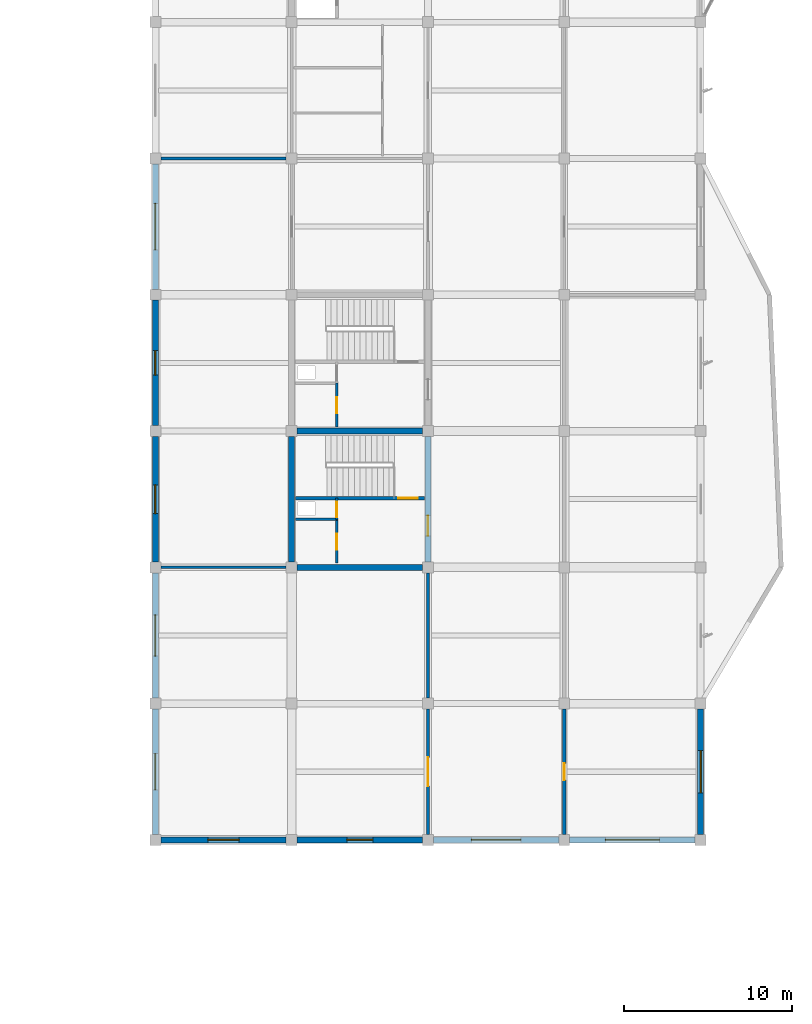
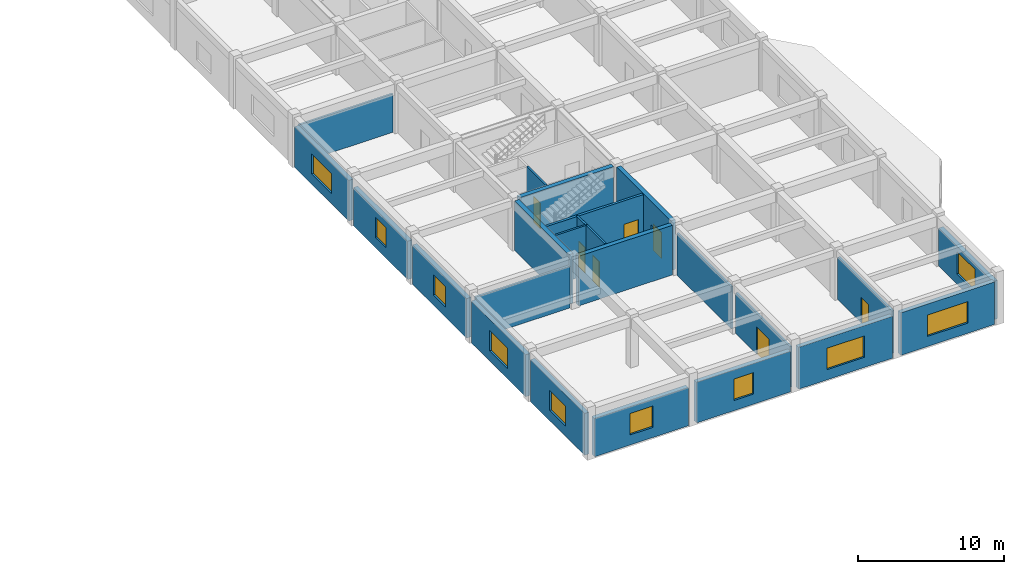
# One storey, part 31 of 42: 24 walls, 10 windows, 7 doors, 17 openings.
"""IFC4 building model written with IfcOpenShell, lengths in metres."""

import ifcopenshell
import ifcopenshell.guid

model = None  # the IFC model being written
_history = None  # IfcOwnerHistory: only IFC2X3 demands one
_inside = {}  # id of a spatial element -> (the spatial element, [elements in it])
_under = {}  # id of a project, library or spatial element -> (it, [spatial elements below it])
_declared = {}  # id of a project -> (the project, [libraries it declares])
_typed = {}  # id of a type object -> (the type object, [elements of that type])
_made_of = {}  # id of a material, layer set ... -> (it, [elements and type objects made of it])


def new_model(schema):
    """Start an empty IFC model of exactly this schema.

    Asked for "IFC4X3", IfcOpenShell would pick the latest addendum, in which some entities
    have other attributes; the version numbers below select the first issue.
    IFC2X3 requires an IfcOwnerHistory on every rooted entity: one is made here for all.
    """
    global model, _history
    if schema == "IFC4X3":
        model = ifcopenshell.file(schema_version=(4, 3, 0, 0))
    else:
        model = ifcopenshell.file(schema=schema)
    _inside.clear()
    _under.clear()
    _declared.clear()
    _typed.clear()
    _made_of.clear()
    _history = None
    if model.schema == "IFC2X3":
        org = make("IfcOrganization", Name="unknown")
        user = make(
            "IfcPersonAndOrganization",
            ThePerson=make("IfcPerson", FamilyName="unknown"),
            TheOrganization=org,
        )
        app = make(
            "IfcApplication",
            ApplicationDeveloper=org,
            Version="unknown",
            ApplicationFullName="unknown",
            ApplicationIdentifier="unknown",
        )
        _history = make(
            "IfcOwnerHistory",
            OwningUser=user,
            OwningApplication=app,
            ChangeAction="ADDED",
            CreationDate=0,
        )
    return model


def make(cls, **values):
    """One entity of the class cls with the attributes given. An attribute that is None is left unset."""
    return model.create_entity(
        cls, **{name: value for name, value in values.items() if value is not None}
    )


def rooted(cls, **values):
    """An entity with a GlobalId (a new one), such as an element, a storey or a relation."""
    return make(cls, GlobalId=ifcopenshell.guid.new(), OwnerHistory=_history, **values)


def si_unit(unit_type, name, prefix=None):
    """IfcSIUnit, for example si_unit("LENGTHUNIT", "METRE", prefix="MILLI")."""
    return make("IfcSIUnit", UnitType=unit_type, Prefix=prefix, Name=name)


def assignment(units):
    """IfcUnitAssignment: the units of a project."""
    return None if units is None else make("IfcUnitAssignment", Units=units)


def point(xyz):
    """IfcCartesianPoint."""
    return None if xyz is None else make("IfcCartesianPoint", Coordinates=xyz)


def direction(xyz):
    """IfcDirection."""
    return None if xyz is None else make("IfcDirection", DirectionRatios=xyz)


def frame(location, z_axis=None, x_axis=None):
    """IfcAxis2Placement3D, a coordinate frame: its origin and axes. An axis left out is left unset."""
    return make(
        "IfcAxis2Placement3D",
        Location=point(location),
        Axis=direction(z_axis),
        RefDirection=direction(x_axis),
    )


def frame_2d(location, x_axis=None):
    """IfcAxis2Placement2D, a coordinate frame in the plane: its origin and x axis."""
    return make(
        "IfcAxis2Placement2D", Location=point(location), RefDirection=direction(x_axis)
    )


def origin():
    """The frame at (0, 0, 0) with its axes left unset."""
    return frame((0.0, 0.0, 0.0))


def place(relative_to, where):
    """IfcLocalPlacement: puts the frame where relative to a parent placement (None: the world)."""
    return make(
        "IfcLocalPlacement", PlacementRelTo=relative_to, RelativePlacement=where
    )


def context(
    kind, dimensions, precision=None, world=None, true_north=None, identifier=None
):
    """IfcGeometricRepresentationContext, for example the 3D "Model" context."""
    return make(
        "IfcGeometricRepresentationContext",
        ContextIdentifier=identifier,
        ContextType=kind,
        CoordinateSpaceDimension=dimensions,
        Precision=precision,
        WorldCoordinateSystem=world,
        TrueNorth=true_north,
    )


def subcontext(parent, identifier, kind, view, scale=None):
    """IfcGeometricRepresentationSubContext, for example "Body" below "Model"."""
    return make(
        "IfcGeometricRepresentationSubContext",
        ContextIdentifier=identifier,
        ContextType=kind,
        ParentContext=parent,
        TargetScale=scale,
        TargetView=view,
    )


def project(units=None, contexts=None):
    """IfcProject with its units and contexts."""
    return rooted(
        "IfcProject",
        Name="project",
        RepresentationContexts=contexts,
        UnitsInContext=assignment(units),
    )


def spatial(cls, under=None, at=None, **own):
    """A site, building, storey or space (cls), placed at a placement, below another one or the project."""
    s = rooted(cls, ObjectPlacement=at, **own)
    if under is not None:
        _under.setdefault(under.id(), (under, []))[1].append(s)
    return s


def profile(cls, at=None, kind="AREA", **sizes):
    """A parametric profile (cls). Its sizes go by their IFC names, for example OverallWidth=200.0."""
    return make(cls, ProfileType=kind, Position=at, **sizes)


def rectangle(**sizes):
    """IfcRectangleProfileDef."""
    return profile("IfcRectangleProfileDef", **sizes)


def extrude(swept, where, along, depth):
    """IfcExtrudedAreaSolid: the profile swept, set in the frame where, extruded along a direction by depth."""
    return make(
        "IfcExtrudedAreaSolid",
        SweptArea=swept,
        Position=where,
        ExtrudedDirection=direction(along),
        Depth=depth,
    )


def shape(context_of_items, identifier, shape_type, items):
    """IfcShapeRepresentation: the items that make up one representation, for example the "Body"."""
    return make(
        "IfcShapeRepresentation",
        ContextOfItems=context_of_items,
        RepresentationIdentifier=identifier,
        RepresentationType=shape_type,
        Items=items,
    )


def material(Name=None, Category=None):
    """IfcMaterial."""
    return make("IfcMaterial", Name=Name, Category=Category)


def layer(
    of_material, thickness, ventilated=None, Name=None, Category=None, Priority=None
):
    """IfcMaterialLayer: one layer of a wall or slab, of a material (None: an air gap)."""
    return make(
        "IfcMaterialLayer",
        Material=of_material,
        LayerThickness=thickness,
        IsVentilated=ventilated,
        Name=Name,
        Category=Category,
        Priority=Priority,
    )


def layer_set(layers, Name=None):
    """IfcMaterialLayerSet."""
    return make("IfcMaterialLayerSet", MaterialLayers=layers, LayerSetName=Name)


def made_of(thing, what):
    """Note that an element or type object is made of a material, layer set ...; save() writes the relation."""
    if what is not None:
        _made_of.setdefault(what.id(), (what, []))[1].append(thing)
    return thing


def type_object(cls, material=None, **own):
    """A type object (cls), such as IfcWallType, which elements share."""
    return made_of(rooted(cls, **own), material)


def element(
    cls,
    number,
    at=None,
    inside=None,
    cuts=None,
    type_object=None,
    material=None,
    context=None,
    identifier="Body",
    shape_type=None,
    held_by="IfcProductDefinitionShape",
    body=None,
    shapes=None,
    **own,
):
    """One element of the class cls, such as IfcWall. Its Tag is "e" and its number.

    at: its placement. inside: the storey or other place that contains it. cuts: it is an
    opening in that element (IfcRelVoidsElement). A single representation is given by context,
    identifier, shape_type and body (its items); several are given by shapes. held_by: the class
    of the entity that holds the representations. save() writes the other relations.
    """
    e = rooted(cls, Tag="e%d" % number, ObjectPlacement=at, **own)
    if body is not None:
        shapes = [shape(context, identifier, shape_type, body)]
    if shapes is not None:
        e.Representation = make(held_by, Representations=shapes)
    if inside is not None:
        _inside.setdefault(inside.id(), (inside, []))[1].append(e)
    if cuts is not None:
        rooted(
            "IfcRelVoidsElement", RelatingBuildingElement=cuts, RelatedOpeningElement=e
        )
    if type_object is not None:
        _typed.setdefault(type_object.id(), (type_object, []))[1].append(e)
    return made_of(e, material)


def fill(opening, filler):
    """IfcRelFillsElement: the door or window that sits in an opening."""
    return rooted(
        "IfcRelFillsElement",
        RelatingOpeningElement=opening,
        RelatedBuildingElement=filler,
    )


def aggregate(whole, parts):
    """IfcRelAggregates: a whole, such as a stair, and the parts it consists of."""
    return rooted("IfcRelAggregates", RelatingObject=whole, RelatedObjects=parts)


def save(model, path):
    """Write the relations noted so far, then the file.

    IfcRelAggregates (storeys below a building ...), IfcRelContainedInSpatialStructure (elements
    in a storey), IfcRelDefinesByType, IfcRelAssociatesMaterial and IfcRelDeclares: one each for
    every whole, place, type object, material and project.
    """
    for whole, parts in _under.values():
        aggregate(whole, parts)
    for where, things in _inside.values():
        rooted(
            "IfcRelContainedInSpatialStructure",
            RelatedElements=things,
            RelatingStructure=where,
        )
    for kind, things in _typed.values():
        rooted("IfcRelDefinesByType", RelatedObjects=things, RelatingType=kind)
    for what, things in _made_of.values():
        rooted("IfcRelAssociatesMaterial", RelatedObjects=things, RelatingMaterial=what)
    for by, libraries in _declared.values():
        rooted("IfcRelDeclares", RelatingContext=by, RelatedDefinitions=libraries)
    model.write(path)


model = new_model("IFC4")

# Units and contexts
model_context = context("Model", 3, precision=1e-05, world=origin(), true_north=direction((0.0, 1.0)))
body_context = subcontext(model_context, "Body", "Model", "MODEL_VIEW")
ifc_project = project(units=[si_unit("LENGTHUNIT", "METRE"), si_unit("AREAUNIT", "SQUARE_METRE"), si_unit("VOLUMEUNIT", "CUBIC_METRE"), si_unit("PLANEANGLEUNIT", "RADIAN"), si_unit("MASSUNIT", "GRAM", prefix="KILO")], contexts=[model_context])

# Site, building, storey
site_placement = place(None, origin())
site = spatial("IfcSite", under=ifc_project, at=site_placement, CompositionType="ELEMENT")
building_placement = place(site_placement, origin())
building = spatial("IfcBuilding", under=site, at=building_placement, Name="Vaudrelin Polytechnic", CompositionType="ELEMENT")
storey_placement = place(building_placement, frame((0.0, 0.0, 18.530029296875)))
storey = spatial("IfcBuildingStorey", under=building, at=storey_placement, Name="L04", CompositionType="ELEMENT", Elevation=18.530029296875)

# Wall, opening, window
ifc_material_1 = material(Name="Precast concrete 35 MPa with terracotta baguette screen", Category="masonry")
ifc_layer_1 = layer(ifc_material_1, 0.35009765625)
ifc_layer_set_1 = layer_set([ifc_layer_1], Name="Precast concrete 35 MPa with terracotta baguette screen")
wall_type_1 = type_object("IfcWallType", Name="WAL-EW-TERR350", PredefinedType="STANDARD", material=ifc_layer_set_1)
wall_1_placement = place(storey_placement, frame((170.10009765625, 16.52294921875, 0.0), z_axis=(0.0, 0.0, 1.0), x_axis=(0.0, 1.0, 0.0)))
wall_1 = element("IfcWall", 1, at=wall_1_placement, inside=storey, type_object=wall_type_1, Name="Exterior wall L04 E_V4_00", PredefinedType="STANDARD", context=body_context, shape_type="SweptSolid", body=[
    extrude(rectangle(XDim=7.4541015625, YDim=0.35009765625, at=frame_2d((3.72705078125, 0.0))), origin(), (0.0, 0.0, 1.0), 3.2119140625),
])
opening_1_placement = place(wall_1_placement, frame((2.47705078125, 0.0, 0.85009765625)))
opening_1 = element("IfcOpeningElement", 2, at=opening_1_placement, cuts=wall_1, Name="Opening W-L04-E-V4-01", PredefinedType="OPENING", context=body_context, shape_type="SweptSolid", body=[
    extrude(rectangle(XDim=2.5, YDim=1.89990234375, at=frame_2d((1.25, 0.949951171875))), frame((0.0, 0.18505859375, 0.0), z_axis=(0.0, -1.0, 0.0), x_axis=(1.0, 0.0, 0.0)), (0.0, 0.0, 1.0), 0.3701171875),
])
ifc_material_2 = material(Name="Thermally broken aluminium frame with triple low-e glazing", Category="aluminium")
window_type_1 = type_object("IfcWindowType", Name="WIN-WN-27", PartitioningType="SINGLE_PANEL", PredefinedType="WINDOW", material=ifc_material_2)
window_1_placement = place(opening_1_placement, origin())
window_1 = element("IfcWindow", 3, at=window_1_placement, inside=storey, type_object=window_type_1, Name="Facade window L04-E_V4_00", OverallHeight=1.89990234375, OverallWidth=2.5, PartitioningType="SINGLE_PANEL", PredefinedType="WINDOW", context=body_context, shape_type="SweptSolid", body=[
    extrude(rectangle(XDim=2.5, YDim=1.89990234375, at=frame_2d((1.25, 0.949951171875))), frame((0.0, 0.030029296875, 0.0), z_axis=(0.0, -1.0, 0.0), x_axis=(1.0, 0.0, 0.0)), (0.0, 0.0, 1.0), 0.06005859375),
])
fill(opening_1, window_1)

wall_2_placement = place(storey_placement, frame((138.02294921875, 16.199951171875, 0.0), z_axis=(0.0, 0.0, 1.0), x_axis=(1.0, 0.0, 0.0)))
wall_2 = element("IfcWall", 4, at=wall_2_placement, inside=storey, type_object=wall_type_1, Name="Exterior wall L04 S_V4_00", PredefinedType="STANDARD", context=body_context, shape_type="SweptSolid", body=[
    extrude(rectangle(XDim=7.4541015625, YDim=0.35009765625, at=frame_2d((3.72705078125, 0.0))), origin(), (0.0, 0.0, 1.0), 3.2119140625),
])
opening_2_placement = place(wall_2_placement, frame((2.802001953125, 0.0, 0.85009765625)))
opening_2 = element("IfcOpeningElement", 5, at=opening_2_placement, cuts=wall_2, Name="Opening W-L04-S-V4-01", PredefinedType="OPENING", context=body_context, shape_type="SweptSolid", body=[
    extrude(rectangle(XDim=1.85009765625, YDim=1.800048828125, at=frame_2d((0.925048828125, 0.89990234375))), frame((0.0, 0.18505859375, 0.0), z_axis=(0.0, -1.0, 0.0), x_axis=(1.0, 0.0, 0.0)), (0.0, 0.0, 1.0), 0.3701171875),
])
window_type_2 = type_object("IfcWindowType", Name="WIN-WN-33", PartitioningType="SINGLE_PANEL", PredefinedType="WINDOW", material=ifc_material_2)
window_2_placement = place(opening_2_placement, origin())
window_2 = element("IfcWindow", 6, at=window_2_placement, inside=storey, type_object=window_type_2, Name="Facade window L04-S_V4_00", OverallHeight=1.800048828125, OverallWidth=1.85009765625, PartitioningType="SINGLE_PANEL", PredefinedType="WINDOW", context=body_context, shape_type="SweptSolid", body=[
    extrude(rectangle(XDim=1.85009765625, YDim=1.800048828125, at=frame_2d((0.925048828125, 0.89990234375))), frame((0.0, 0.030029296875, 0.0), z_axis=(0.0, -1.0, 0.0), x_axis=(1.0, 0.0, 0.0)), (0.0, 0.0, 1.0), 0.06005859375),
])
fill(opening_2, window_2)

wall_3_placement = place(storey_placement, frame((146.123046875, 16.199951171875, 0.0), z_axis=(0.0, 0.0, 1.0), x_axis=(1.0, 0.0, 0.0)))
wall_3 = element("IfcWall", 7, at=wall_3_placement, inside=storey, type_object=wall_type_1, Name="Exterior wall L04 S_V4_01", PredefinedType="STANDARD", context=body_context, shape_type="SweptSolid", body=[
    extrude(rectangle(XDim=7.453857421875, YDim=0.35009765625, at=frame_2d((3.72705078125, 0.0))), origin(), (0.0, 0.0, 1.0), 3.411865234375),
])
opening_3_placement = place(wall_3_placement, frame((2.951904296875, 0.0, 0.85009765625)))
opening_3 = element("IfcOpeningElement", 8, at=opening_3_placement, cuts=wall_3, Name="Opening W-L04-S-V4-02", PredefinedType="OPENING", context=body_context, shape_type="SweptSolid", body=[
    extrude(rectangle(XDim=1.550048828125, YDim=1.800048828125, at=frame_2d((0.77490234375, 0.89990234375))), frame((0.0, 0.18505859375, 0.0), z_axis=(0.0, -1.0, 0.0), x_axis=(1.0, 0.0, 0.0)), (0.0, 0.0, 1.0), 0.3701171875),
])
window_type_3 = type_object("IfcWindowType", Name="WIN-WN-34", PartitioningType="SINGLE_PANEL", PredefinedType="WINDOW", material=ifc_material_2)
window_3_placement = place(opening_3_placement, origin())
window_3 = element("IfcWindow", 9, at=window_3_placement, inside=storey, type_object=window_type_3, Name="Facade window L04-S_V4_01", OverallHeight=1.800048828125, OverallWidth=1.550048828125, PartitioningType="SINGLE_PANEL", PredefinedType="WINDOW", context=body_context, shape_type="SweptSolid", body=[
    extrude(rectangle(XDim=1.550048828125, YDim=1.800048828125, at=frame_2d((0.77490234375, 0.89990234375))), frame((0.0, 0.030029296875, 0.0), z_axis=(0.0, -1.0, 0.0), x_axis=(1.0, 0.0, 0.0)), (0.0, 0.0, 1.0), 0.06005859375),
])
fill(opening_3, window_3)

wall_4_placement = place(storey_placement, frame((154.222900390625, 16.199951171875, 0.0), z_axis=(0.0, 0.0, 1.0), x_axis=(1.0, 0.0, 0.0)))
wall_4 = element("IfcWall", 10, at=wall_4_placement, inside=storey, type_object=wall_type_1, Name="Exterior wall L04 S_V4_02", PredefinedType="STANDARD", context=body_context, shape_type="SweptSolid", body=[
    extrude(rectangle(XDim=7.4541015625, YDim=0.35009765625, at=frame_2d((3.72705078125, 0.0))), origin(), (0.0, 0.0, 1.0), 3.511962890625),
])
opening_4_placement = place(wall_4_placement, frame((2.251953125, 0.0, 0.85009765625)))
opening_4 = element("IfcOpeningElement", 11, at=opening_4_placement, cuts=wall_4, Name="Opening W-L04-S-V4-03", PredefinedType="OPENING", context=body_context, shape_type="SweptSolid", body=[
    extrude(rectangle(XDim=2.949951171875, YDim=1.800048828125, at=frame_2d((1.47509765625, 0.89990234375))), frame((0.0, 0.18505859375, 0.0), z_axis=(0.0, -1.0, 0.0), x_axis=(1.0, 0.0, 0.0)), (0.0, 0.0, 1.0), 0.3701171875),
])
window_type_4 = type_object("IfcWindowType", Name="WIN-WN-35", PartitioningType="SINGLE_PANEL", PredefinedType="WINDOW", material=ifc_material_2)
window_4_placement = place(opening_4_placement, origin())
window_4 = element("IfcWindow", 12, at=window_4_placement, inside=storey, type_object=window_type_4, Name="Facade window L04-S_V4_02", OverallHeight=1.800048828125, OverallWidth=2.949951171875, PartitioningType="SINGLE_PANEL", PredefinedType="WINDOW", context=body_context, shape_type="SweptSolid", body=[
    extrude(rectangle(XDim=2.949951171875, YDim=1.800048828125, at=frame_2d((1.47509765625, 0.89990234375))), frame((0.0, 0.030029296875, 0.0), z_axis=(0.0, -1.0, 0.0), x_axis=(1.0, 0.0, 0.0)), (0.0, 0.0, 1.0), 0.06005859375),
])
fill(opening_4, window_4)

wall_5_placement = place(storey_placement, frame((162.322998046875, 16.199951171875, 0.0), z_axis=(0.0, 0.0, 1.0), x_axis=(1.0, 0.0, 0.0)))
wall_5 = element("IfcWall", 13, at=wall_5_placement, inside=storey, type_object=wall_type_1, Name="Exterior wall L04 S_V4_03", PredefinedType="STANDARD", context=body_context, shape_type="SweptSolid", body=[
    extrude(rectangle(XDim=7.4541015625, YDim=0.35009765625, at=frame_2d((3.72705078125, 0.0))), origin(), (0.0, 0.0, 1.0), 3.56201171875),
])
opening_5_placement = place(wall_5_placement, frame((2.126953125, 0.0, 0.85009765625)))
opening_5 = element("IfcOpeningElement", 14, at=opening_5_placement, cuts=wall_5, Name="Opening W-L04-S-V4-04", PredefinedType="OPENING", context=body_context, shape_type="SweptSolid", body=[
    extrude(rectangle(XDim=3.199951171875, YDim=1.800048828125, at=frame_2d((1.60009765625, 0.89990234375))), frame((0.0, 0.18505859375, 0.0), z_axis=(0.0, -1.0, 0.0), x_axis=(1.0, 0.0, 0.0)), (0.0, 0.0, 1.0), 0.3701171875),
])
window_type_5 = type_object("IfcWindowType", Name="WIN-WN-36", PartitioningType="SINGLE_PANEL", PredefinedType="WINDOW", material=ifc_material_2)
window_5_placement = place(opening_5_placement, origin())
window_5 = element("IfcWindow", 15, at=window_5_placement, inside=storey, type_object=window_type_5, Name="Facade window L04-S_V4_03", OverallHeight=1.800048828125, OverallWidth=3.199951171875, PartitioningType="SINGLE_PANEL", PredefinedType="WINDOW", context=body_context, shape_type="SweptSolid", body=[
    extrude(rectangle(XDim=3.199951171875, YDim=1.800048828125, at=frame_2d((1.60009765625, 0.89990234375))), frame((0.0, 0.030029296875, 0.0), z_axis=(0.0, -1.0, 0.0), x_axis=(1.0, 0.0, 0.0)), (0.0, 0.0, 1.0), 0.06005859375),
])
fill(opening_5, window_5)

wall_6_placement = place(storey_placement, frame((137.699951171875, 16.52294921875, 0.0), z_axis=(0.0, 0.0, 1.0), x_axis=(0.0, 1.0, 0.0)))
wall_6 = element("IfcWall", 16, at=wall_6_placement, inside=storey, type_object=wall_type_1, Name="Exterior wall L04 W_V4_00", PredefinedType="STANDARD", context=body_context, shape_type="SweptSolid", body=[
    extrude(rectangle(XDim=7.4541015625, YDim=0.35009765625, at=frame_2d((3.72705078125, 0.0))), origin(), (0.0, 0.0, 1.0), 3.511962890625),
])
opening_6_placement = place(wall_6_placement, frame((2.652099609375, 0.0, 0.85009765625)))
opening_6 = element("IfcOpeningElement", 17, at=opening_6_placement, cuts=wall_6, Name="Opening W-L04-W-V4-01", PredefinedType="OPENING", context=body_context, shape_type="SweptSolid", body=[
    extrude(rectangle(XDim=2.14990234375, YDim=1.699951171875, at=frame_2d((1.074951171875, 0.85009765625))), frame((0.0, 0.18505859375, 0.0), z_axis=(0.0, -1.0, 0.0), x_axis=(1.0, 0.0, 0.0)), (0.0, 0.0, 1.0), 0.3701171875),
])
window_type_6 = type_object("IfcWindowType", Name="WIN-WN-37", PartitioningType="SINGLE_PANEL", PredefinedType="WINDOW", material=ifc_material_2)
window_6_placement = place(opening_6_placement, origin())
window_6 = element("IfcWindow", 18, at=window_6_placement, inside=storey, type_object=window_type_6, Name="Facade window L04-W_V4_00", OverallHeight=1.699951171875, OverallWidth=2.14990234375, PartitioningType="SINGLE_PANEL", PredefinedType="WINDOW", context=body_context, shape_type="SweptSolid", body=[
    extrude(rectangle(XDim=2.14990234375, YDim=1.699951171875, at=frame_2d((1.074951171875, 0.85009765625))), frame((0.0, 0.030029296875, 0.0), z_axis=(0.0, -1.0, 0.0), x_axis=(1.0, 0.0, 0.0)), (0.0, 0.0, 1.0), 0.06005859375),
])
fill(opening_6, window_6)

wall_7_placement = place(storey_placement, frame((137.699951171875, 24.623046875, 0.0), z_axis=(0.0, 0.0, 1.0), x_axis=(0.0, 1.0, 0.0)))
wall_7 = element("IfcWall", 19, at=wall_7_placement, inside=storey, type_object=wall_type_1, Name="Exterior wall L04 W_V4_01", PredefinedType="STANDARD", context=body_context, shape_type="SweptSolid", body=[
    extrude(rectangle(XDim=7.453857421875, YDim=0.35009765625, at=frame_2d((3.72705078125, 0.0))), origin(), (0.0, 0.0, 1.0), 3.511962890625),
])
opening_7_placement = place(wall_7_placement, frame((2.501953125, 0.0, 0.85009765625)))
opening_7 = element("IfcOpeningElement", 20, at=opening_7_placement, cuts=wall_7, Name="Opening W-L04-W-V4-02", PredefinedType="OPENING", context=body_context, shape_type="SweptSolid", body=[
    extrude(rectangle(XDim=2.449951171875, YDim=1.699951171875, at=frame_2d((1.22509765625, 0.85009765625))), frame((0.0, 0.18505859375, 0.0), z_axis=(0.0, -1.0, 0.0), x_axis=(1.0, 0.0, 0.0)), (0.0, 0.0, 1.0), 0.3701171875),
])
window_type_7 = type_object("IfcWindowType", Name="WIN-WN-38", PartitioningType="SINGLE_PANEL", PredefinedType="WINDOW", material=ifc_material_2)
window_7_placement = place(opening_7_placement, origin())
window_7 = element("IfcWindow", 21, at=window_7_placement, inside=storey, type_object=window_type_7, Name="Facade window L04-W_V4_01", OverallHeight=1.699951171875, OverallWidth=2.449951171875, PartitioningType="SINGLE_PANEL", PredefinedType="WINDOW", context=body_context, shape_type="SweptSolid", body=[
    extrude(rectangle(XDim=2.449951171875, YDim=1.699951171875, at=frame_2d((1.22509765625, 0.85009765625))), frame((0.0, 0.030029296875, 0.0), z_axis=(0.0, -1.0, 0.0), x_axis=(1.0, 0.0, 0.0)), (0.0, 0.0, 1.0), 0.06005859375),
])
fill(opening_7, window_7)

wall_8_placement = place(storey_placement, frame((137.699951171875, 32.722900390625, 0.0), z_axis=(0.0, 0.0, 1.0), x_axis=(0.0, 1.0, 0.0)))
wall_8 = element("IfcWall", 22, at=wall_8_placement, inside=storey, type_object=wall_type_1, Name="Exterior wall L04 W_V4_02", PredefinedType="STANDARD", context=body_context, shape_type="SweptSolid", body=[
    extrude(rectangle(XDim=7.4541015625, YDim=0.35009765625, at=frame_2d((3.72705078125, 0.0))), origin(), (0.0, 0.0, 1.0), 3.31201171875),
])
opening_8_placement = place(wall_8_placement, frame((2.876953125, 0.0, 0.85009765625)))
opening_8 = element("IfcOpeningElement", 23, at=opening_8_placement, cuts=wall_8, Name="Opening W-L04-W-V4-03", PredefinedType="OPENING", context=body_context, shape_type="SweptSolid", body=[
    extrude(rectangle(XDim=1.699951171875, YDim=1.699951171875, at=frame_2d((0.85009765625, 0.85009765625))), frame((0.0, 0.18505859375, 0.0), z_axis=(0.0, -1.0, 0.0), x_axis=(1.0, 0.0, 0.0)), (0.0, 0.0, 1.0), 0.3701171875),
])
window_type_8 = type_object("IfcWindowType", Name="WIN-WN-39", PartitioningType="SINGLE_PANEL", PredefinedType="WINDOW", material=ifc_material_2)
window_8_placement = place(opening_8_placement, origin())
window_8 = element("IfcWindow", 24, at=window_8_placement, inside=storey, type_object=window_type_8, Name="Facade window L04-W_V4_02", OverallHeight=1.699951171875, OverallWidth=1.699951171875, PartitioningType="SINGLE_PANEL", PredefinedType="WINDOW", context=body_context, shape_type="SweptSolid", body=[
    extrude(rectangle(XDim=1.699951171875, YDim=1.699951171875, at=frame_2d((0.85009765625, 0.85009765625))), frame((0.0, 0.030029296875, 0.0), z_axis=(0.0, -1.0, 0.0), x_axis=(1.0, 0.0, 0.0)), (0.0, 0.0, 1.0), 0.06005859375),
])
fill(opening_8, window_8)

wall_9_placement = place(storey_placement, frame((137.699951171875, 40.822998046875, 0.0), z_axis=(0.0, 0.0, 1.0), x_axis=(0.0, 1.0, 0.0)))
wall_9 = element("IfcWall", 25, at=wall_9_placement, inside=storey, type_object=wall_type_1, Name="Exterior wall L04 W_V4_03", PredefinedType="STANDARD", context=body_context, shape_type="SweptSolid", body=[
    extrude(rectangle(XDim=7.4541015625, YDim=0.35009765625, at=frame_2d((3.72705078125, 0.0))), origin(), (0.0, 0.0, 1.0), 3.2119140625),
])
opening_9_placement = place(wall_9_placement, frame((3.001953125, 0.0, 0.85009765625)))
opening_9 = element("IfcOpeningElement", 26, at=opening_9_placement, cuts=wall_9, Name="Opening W-L04-W-V4-04", PredefinedType="OPENING", context=body_context, shape_type="SweptSolid", body=[
    extrude(rectangle(XDim=1.449951171875, YDim=1.699951171875, at=frame_2d((0.72509765625, 0.85009765625))), frame((0.0, 0.18505859375, 0.0), z_axis=(0.0, -1.0, 0.0), x_axis=(1.0, 0.0, 0.0)), (0.0, 0.0, 1.0), 0.3701171875),
])
window_type_9 = type_object("IfcWindowType", Name="WIN-WN-40", PartitioningType="SINGLE_PANEL", PredefinedType="WINDOW", material=ifc_material_2)
window_9_placement = place(opening_9_placement, origin())
window_9 = element("IfcWindow", 27, at=window_9_placement, inside=storey, type_object=window_type_9, Name="Facade window L04-W_V4_03", OverallHeight=1.699951171875, OverallWidth=1.449951171875, PartitioningType="SINGLE_PANEL", PredefinedType="WINDOW", context=body_context, shape_type="SweptSolid", body=[
    extrude(rectangle(XDim=1.449951171875, YDim=1.699951171875, at=frame_2d((0.72509765625, 0.85009765625))), frame((0.0, 0.030029296875, 0.0), z_axis=(0.0, -1.0, 0.0), x_axis=(1.0, 0.0, 0.0)), (0.0, 0.0, 1.0), 0.06005859375),
])
fill(opening_9, window_9)

wall_10_placement = place(storey_placement, frame((137.699951171875, 48.923095703125, 0.0), z_axis=(0.0, 0.0, 1.0), x_axis=(0.0, 1.0, 0.0)))
wall_10 = element("IfcWall", 28, at=wall_10_placement, inside=storey, type_object=wall_type_1, Name="Exterior wall L04 W_V4_04", PredefinedType="STANDARD", context=body_context, shape_type="SweptSolid", body=[
    extrude(rectangle(XDim=7.453857421875, YDim=0.35009765625, at=frame_2d((3.72705078125, 0.0))), origin(), (0.0, 0.0, 1.0), 3.411865234375),
])
opening_10_placement = place(wall_10_placement, frame((2.35205078125, 0.0, 0.85009765625)))
opening_10 = element("IfcOpeningElement", 29, at=opening_10_placement, cuts=wall_10, Name="Opening W-L04-W-V4-05", PredefinedType="OPENING", context=body_context, shape_type="SweptSolid", body=[
    extrude(rectangle(XDim=2.75, YDim=1.699951171875, at=frame_2d((1.375, 0.85009765625))), frame((0.0, 0.18505859375, 0.0), z_axis=(0.0, -1.0, 0.0), x_axis=(1.0, 0.0, 0.0)), (0.0, 0.0, 1.0), 0.3701171875),
])
window_type_10 = type_object("IfcWindowType", Name="WIN-WN-41", PartitioningType="SINGLE_PANEL", PredefinedType="WINDOW", material=ifc_material_2)
window_10_placement = place(opening_10_placement, origin())
window_10 = element("IfcWindow", 30, at=window_10_placement, inside=storey, type_object=window_type_10, Name="Facade window L04-W_V4_04", OverallHeight=1.699951171875, OverallWidth=2.75, PartitioningType="SINGLE_PANEL", PredefinedType="WINDOW", context=body_context, shape_type="SweptSolid", body=[
    extrude(rectangle(XDim=2.75, YDim=1.699951171875, at=frame_2d((1.375, 0.85009765625))), frame((0.0, 0.030029296875, 0.0), z_axis=(0.0, -1.0, 0.0), x_axis=(1.0, 0.0, 0.0)), (0.0, 0.0, 1.0), 0.06005859375),
])
fill(opening_10, window_10)

# Wall, opening, door
ifc_material_3 = material(Name="Acoustic double-stud gypsum & mineral-wool partition", Category="gypsum")
ifc_layer_2 = layer(ifc_material_3, 0.179931640625)
ifc_layer_set_2 = layer_set([ifc_layer_2], Name="Acoustic double-stud gypsum & mineral-wool partition")
wall_type_2 = type_object("IfcWallType", Name="WAL-PW-AC180", PredefinedType="PARTITIONING", material=ifc_layer_set_2)
wall_11_placement = place(storey_placement, frame((162.0, 16.52294921875, 0.0), z_axis=(0.0, 0.0, 1.0), x_axis=(0.0, 1.0, 0.0)))
wall_11 = element("IfcWall", 31, at=wall_11_placement, inside=storey, type_object=wall_type_2, Name="Partition L04-015 W", PredefinedType="PARTITIONING", context=body_context, shape_type="SweptSolid", body=[
    extrude(rectangle(XDim=7.4541015625, YDim=0.179931640625, at=frame_2d((3.72705078125, 0.0))), origin(), (0.0, 0.0, 1.0), 3.56201171875),
])
opening_11_placement = place(wall_11_placement, frame((3.22705078125, 0.0, 0.0)))
opening_11 = element("IfcOpeningElement", 32, at=opening_11_placement, cuts=wall_11, Name="Opening D-L04-529", PredefinedType="OPENING", context=body_context, shape_type="SweptSolid", body=[
    extrude(rectangle(XDim=1.0, YDim=2.14990234375, at=frame_2d((0.5, 1.074951171875))), frame((0.0, 0.10009765625, 0.0), z_axis=(0.0, -1.0, 0.0), x_axis=(1.0, 0.0, 0.0)), (0.0, 0.0, 1.0), 0.199951171875),
])
ifc_material_4 = material(Name="Solid-core birch veneer acoustic leaf", Category="wood")
door_type_1 = type_object("IfcDoorType", Name="DOR-ID-SEM1", OperationType="NOTDEFINED", PredefinedType="DOOR", material=ifc_material_4)
door_1_placement = place(opening_11_placement, origin())
door_1 = element("IfcDoor", 33, at=door_1_placement, inside=storey, type_object=door_type_1, Name="Seminar Room 402 door L04-015", OperationType="SINGLE_SWING_RIGHT", OverallHeight=2.14990234375, OverallWidth=1.0, PredefinedType="DOOR", context=body_context, shape_type="SweptSolid", body=[
    extrude(rectangle(XDim=1.0, YDim=2.14990234375, at=frame_2d((0.5, 1.074951171875))), frame((0.0, 0.02490234375, 0.0), z_axis=(0.0, -1.0, 0.0), x_axis=(1.0, 0.0, 0.0)), (0.0, 0.0, 1.0), 0.050048828125),
])
fill(opening_11, door_1)

ifc_material_5 = material(Name="Fire-rated steel-stud gypsum compartment wall", Category="steel")
ifc_layer_3 = layer(ifc_material_5, 0.14990234375)
ifc_layer_set_3 = layer_set([ifc_layer_3], Name="Fire-rated steel-stud gypsum compartment wall")
wall_type_3 = type_object("IfcWallType", Name="WAL-PW-FIRE60", PredefinedType="PARTITIONING", material=ifc_layer_set_3)
wall_12_placement = place(storey_placement, frame((148.47998046875, 35.25, 0.0), z_axis=(0.0, 0.0, 1.0), x_axis=(0.0, 1.0, 0.0)))
wall_12 = element("IfcWall", 34, at=wall_12_placement, inside=storey, type_object=wall_type_3, Name="Core C8 riser enclosure wall L04", PredefinedType="PARTITIONING", context=body_context, shape_type="SweptSolid", body=[
    extrude(rectangle(XDim=1.260009765625, YDim=0.14990234375, at=frame_2d((0.6298828125, 0.0))), origin(), (0.0, 0.0, 1.0), 4.161865234375),
])
opening_12_placement = place(wall_12_placement, frame((0.139892578125, 0.0, 0.0)))
opening_12 = element("IfcOpeningElement", 35, at=opening_12_placement, cuts=wall_12, Name="Opening D-L04-160", PredefinedType="OPENING", context=body_context, shape_type="SweptSolid", body=[
    extrude(rectangle(XDim=0.89990234375, YDim=2.14990234375, at=frame_2d((0.449951171875, 1.074951171875))), frame((0.0, 0.0849609375, 0.0), z_axis=(0.0, -1.0, 0.0), x_axis=(1.0, 0.0, 0.0)), (0.0, 0.0, 1.0), 0.169921875),
])
ifc_material_6 = material(Name="Pressed galvanised steel acoustic leaf", Category="steel")
door_type_2 = type_object("IfcDoorType", Name="DOR-ID-RSR1", OperationType="NOTDEFINED", PredefinedType="DOOR", material=ifc_material_6)
door_2_placement = place(opening_12_placement, origin())
door_2 = element("IfcDoor", 36, at=door_2_placement, inside=storey, type_object=door_type_2, Name="Core C8 riser access door L04", OperationType="SINGLE_SWING_RIGHT", OverallHeight=2.14990234375, OverallWidth=0.89990234375, PredefinedType="DOOR", context=body_context, shape_type="SweptSolid", body=[
    extrude(rectangle(XDim=0.89990234375, YDim=2.14990234375, at=frame_2d((0.449951171875, 1.074951171875))), frame((0.0, 0.02490234375, 0.0), z_axis=(0.0, -1.0, 0.0), x_axis=(1.0, 0.0, 0.0)), (0.0, 0.0, 1.0), 0.050048828125),
])
fill(opening_12, door_2)

# Wall
wall_13_placement = place(storey_placement, frame((146.02001953125, 35.25, 0.0), z_axis=(0.0, 0.0, 1.0), x_axis=(1.0, 0.0, 0.0)))
element("IfcWall", 37, at=wall_13_placement, inside=storey, type_object=wall_type_3, Name="Core C8 riser south fire wall L04", PredefinedType="PARTITIONING", context=body_context, shape_type="SweptSolid", body=[
    extrude(rectangle(XDim=2.530029296875, YDim=0.14990234375, at=frame_2d((1.26513671875, 0.0))), origin(), (0.0, 0.0, 1.0), 4.161865234375),
])

# Wall, opening, door
wall_14_placement = place(storey_placement, frame((148.47998046875, 32.64990234375, 0.0), z_axis=(0.0, 0.0, 1.0), x_axis=(0.0, 1.0, 0.0)))
wall_14 = element("IfcWall", 38, at=wall_14_placement, inside=storey, type_object=wall_type_3, Name="Core C8 custodial enclosure wall L04", PredefinedType="PARTITIONING", context=body_context, shape_type="SweptSolid", body=[
    extrude(rectangle(XDim=2.60009765625, YDim=0.14990234375, at=frame_2d((1.300048828125, 0.0))), origin(), (0.0, 0.0, 1.0), 4.161865234375),
])
opening_13_placement = place(wall_14_placement, frame((0.800048828125, 0.0, 0.0)))
opening_13 = element("IfcOpeningElement", 39, at=opening_13_placement, cuts=wall_14, Name="Opening D-L04-161", PredefinedType="OPENING", context=body_context, shape_type="SweptSolid", body=[
    extrude(rectangle(XDim=0.949951171875, YDim=2.14990234375, at=frame_2d((0.47509765625, 1.074951171875))), frame((0.0, 0.0849609375, 0.0), z_axis=(0.0, -1.0, 0.0), x_axis=(1.0, 0.0, 0.0)), (0.0, 0.0, 1.0), 0.169921875),
])
door_type_3 = type_object("IfcDoorType", Name="DOR-ID-STR1", OperationType="NOTDEFINED", PredefinedType="DOOR", material=ifc_material_6)
door_3_placement = place(opening_13_placement, origin())
door_3 = element("IfcDoor", 40, at=door_3_placement, inside=storey, type_object=door_type_3, Name="Core C8 custodial door L04", OperationType="SINGLE_SWING_RIGHT", OverallHeight=2.14990234375, OverallWidth=0.949951171875, PredefinedType="DOOR", context=body_context, shape_type="SweptSolid", body=[
    extrude(rectangle(XDim=0.949951171875, YDim=2.14990234375, at=frame_2d((0.47509765625, 1.074951171875))), frame((0.0, 0.02490234375, 0.0), z_axis=(0.0, -1.0, 0.0), x_axis=(1.0, 0.0, 0.0)), (0.0, 0.0, 1.0), 0.050048828125),
])
fill(opening_13, door_3)

wall_15_placement = place(storey_placement, frame((148.47998046875, 40.75, 0.0), z_axis=(0.0, 0.0, 1.0), x_axis=(0.0, 1.0, 0.0)))
wall_15 = element("IfcWall", 41, at=wall_15_placement, inside=storey, type_object=wall_type_3, Name="Core C12 custodial enclosure wall L04", PredefinedType="PARTITIONING", context=body_context, shape_type="SweptSolid", body=[
    extrude(rectangle(XDim=2.60009765625, YDim=0.14990234375, at=frame_2d((1.300048828125, 0.0))), origin(), (0.0, 0.0, 1.0), 4.161865234375),
])
opening_14_placement = place(wall_15_placement, frame((0.800048828125, 0.0, 0.0)))
opening_14 = element("IfcOpeningElement", 42, at=opening_14_placement, cuts=wall_15, Name="Opening D-L04-284", PredefinedType="OPENING", context=body_context, shape_type="SweptSolid", body=[
    extrude(rectangle(XDim=0.949951171875, YDim=2.14990234375, at=frame_2d((0.47509765625, 1.074951171875))), frame((0.0, 0.0849609375, 0.0), z_axis=(0.0, -1.0, 0.0), x_axis=(1.0, 0.0, 0.0)), (0.0, 0.0, 1.0), 0.169921875),
])
door_4_placement = place(opening_14_placement, origin())
door_4 = element("IfcDoor", 43, at=door_4_placement, inside=storey, type_object=door_type_3, Name="Core C12 custodial door L04", OperationType="SINGLE_SWING_RIGHT", OverallHeight=2.14990234375, OverallWidth=0.949951171875, PredefinedType="DOOR", context=body_context, shape_type="SweptSolid", body=[
    extrude(rectangle(XDim=0.949951171875, YDim=2.14990234375, at=frame_2d((0.47509765625, 1.074951171875))), frame((0.0, 0.02490234375, 0.0), z_axis=(0.0, -1.0, 0.0), x_axis=(1.0, 0.0, 0.0)), (0.0, 0.0, 1.0), 0.050048828125),
])
fill(opening_14, door_4)

ifc_material_7 = material(Name="Moisture- and chemical-resistant laboratory partition", Category="gypsum")
ifc_layer_4 = layer(ifc_material_7, 0.159912109375)
ifc_layer_set_4 = layer_set([ifc_layer_4], Name="Moisture- and chemical-resistant laboratory partition")
wall_type_4 = type_object("IfcWallType", Name="WAL-PW-LAB160", PredefinedType="PARTITIONING", material=ifc_layer_set_4)
wall_16_placement = place(storey_placement, frame((153.89990234375, 16.52294921875, 0.0), z_axis=(0.0, 0.0, 1.0), x_axis=(0.0, 1.0, 0.0)))
wall_16 = element("IfcWall", 44, at=wall_16_placement, inside=storey, type_object=wall_type_4, Name="Partition L04-008 E", PredefinedType="PARTITIONING", context=body_context, shape_type="SweptSolid", body=[
    extrude(rectangle(XDim=7.4541015625, YDim=0.159912109375, at=frame_2d((3.72705078125, 0.0))), origin(), (0.0, 0.0, 1.0), 3.411865234375),
])
opening_15_placement = place(wall_16_placement, frame((2.866943359375, 0.0, 0.0)))
opening_15 = element("IfcOpeningElement", 45, at=opening_15_placement, cuts=wall_16, Name="Opening D-L04-523", PredefinedType="OPENING", context=body_context, shape_type="SweptSolid", body=[
    extrude(rectangle(XDim=1.719970703125, YDim=2.300048828125, at=frame_2d((0.85986328125, 1.14990234375))), frame((0.0, 0.08984375, 0.0), z_axis=(0.0, -1.0, 0.0), x_axis=(1.0, 0.0, 0.0)), (0.0, 0.0, 1.0), 0.179931640625),
])
door_type_4 = type_object("IfcDoorType", Name="DOR-ID-LAB5", OperationType="NOTDEFINED", PredefinedType="DOOR", material=ifc_material_6)
door_5_placement = place(opening_15_placement, origin())
door_5 = element("IfcDoor", 46, at=door_5_placement, inside=storey, type_object=door_type_4, Name="Water Quality and Environmental Laboratory door L04-008", OperationType="DOUBLE_SWING_LEFT", OverallHeight=2.300048828125, OverallWidth=1.719970703125, PredefinedType="DOOR", context=body_context, shape_type="SweptSolid", body=[
    extrude(rectangle(XDim=1.719970703125, YDim=2.300048828125, at=frame_2d((0.85986328125, 1.14990234375))), frame((0.0, 0.02490234375, 0.0), z_axis=(0.0, -1.0, 0.0), x_axis=(1.0, 0.0, 0.0)), (0.0, 0.0, 1.0), 0.050048828125),
])
fill(opening_15, door_5)

# Walls
wall_17_placement = place(storey_placement, frame((153.89990234375, 24.623046875, 0.0), z_axis=(0.0, 0.0, 1.0), x_axis=(0.0, 1.0, 0.0)))
element("IfcWall", 47, at=wall_17_placement, inside=storey, type_object=wall_type_4, Name="Partition L04-008 E", PredefinedType="PARTITIONING", context=body_context, shape_type="SweptSolid", body=[
    extrude(rectangle(XDim=7.453857421875, YDim=0.159912109375, at=frame_2d((3.72705078125, 0.0))), origin(), (0.0, 0.0, 1.0), 3.511962890625),
])
wall_18_placement = place(storey_placement, frame((138.02294921875, 32.39990234375, 0.0), z_axis=(0.0, 0.0, 1.0), x_axis=(1.0, 0.0, 0.0)))
element("IfcWall", 48, at=wall_18_placement, inside=storey, type_object=wall_type_4, Name="Partition L04-008 N", PredefinedType="PARTITIONING", context=body_context, shape_type="SweptSolid", body=[
    extrude(rectangle(XDim=7.4541015625, YDim=0.159912109375, at=frame_2d((3.72705078125, 0.0))), origin(), (0.0, 0.0, 1.0), 3.511962890625),
])
wall_19_placement = place(storey_placement, frame((138.02294921875, 56.699951171875, 0.0), z_axis=(0.0, 0.0, 1.0), x_axis=(1.0, 0.0, 0.0)))
element("IfcWall", 49, at=wall_19_placement, inside=storey, type_object=wall_type_4, Name="Partition L04-009 N", PredefinedType="PARTITIONING", context=body_context, shape_type="SweptSolid", body=[
    extrude(rectangle(XDim=7.4541015625, YDim=0.159912109375, at=frame_2d((3.72705078125, 0.0))), origin(), (0.0, 0.0, 1.0), 3.2119140625),
])

# Wall, opening, door
ifc_material_8 = material(Name="Concrete 40 MPa", Category="concrete")
ifc_layer_5 = layer(ifc_material_8, 0.199951171875)
ifc_layer_set_5 = layer_set([ifc_layer_5], Name="Concrete 40 MPa")
wall_type_5 = type_object("IfcWallType", Name="WAL-SW-CORE200", PredefinedType="SHEAR", material=ifc_layer_set_5)
wall_20_placement = place(storey_placement, frame((146.02001953125, 36.510009765625, 0.0), z_axis=(0.0, 0.0, 1.0), x_axis=(1.0, 0.0, 0.0)))
wall_20 = element("IfcWall", 50, at=wall_20_placement, inside=storey, type_object=wall_type_5, Name="Core C8 stair enclosure wall L04", PredefinedType="SHEAR", context=body_context, shape_type="SweptSolid", body=[
    extrude(rectangle(XDim=7.659912109375, YDim=0.199951171875, at=frame_2d((3.830078125, 0.0))), origin(), (0.0, 0.0, 1.0), 4.161865234375),
])
opening_16_placement = place(wall_20_placement, frame((6.110107421875, 0.0, 0.0)))
opening_16 = element("IfcOpeningElement", 51, at=opening_16_placement, cuts=wall_20, Name="Opening D-L04-159", PredefinedType="OPENING", context=body_context, shape_type="SweptSolid", body=[
    extrude(rectangle(XDim=1.14990234375, YDim=2.199951171875, at=frame_2d((0.574951171875, 1.10009765625))), frame((0.0, 0.10986328125, 0.0), z_axis=(0.0, -1.0, 0.0), x_axis=(1.0, 0.0, 0.0)), (0.0, 0.0, 1.0), 0.219970703125),
])
door_type_5 = type_object("IfcDoorType", Name="DOR-ID-ST1", OperationType="NOTDEFINED", PredefinedType="DOOR", material=ifc_material_6)
door_6_placement = place(opening_16_placement, origin())
door_6 = element("IfcDoor", 52, at=door_6_placement, inside=storey, type_object=door_type_5, Name="Core C8 exit stair door L04", OperationType="SINGLE_SWING_LEFT", OverallHeight=2.199951171875, OverallWidth=1.14990234375, PredefinedType="DOOR", context=body_context, shape_type="SweptSolid", body=[
    extrude(rectangle(XDim=1.14990234375, YDim=2.199951171875, at=frame_2d((0.574951171875, 1.10009765625))), frame((0.0, 0.02490234375, 0.0), z_axis=(0.0, -1.0, 0.0), x_axis=(1.0, 0.0, 0.0)), (0.0, 0.0, 1.0), 0.050048828125),
])
fill(opening_16, door_6)

# Walls
ifc_material_9 = material(Name="Concrete 50 MPa", Category="concrete")
ifc_layer_6 = layer(ifc_material_9, 0.35009765625)
ifc_layer_set_6 = layer_set([ifc_layer_6], Name="Concrete 50 MPa")
wall_type_6 = type_object("IfcWallType", Name="WAL-SW-CORE350", PredefinedType="SHEAR", material=ifc_layer_set_6)
wall_21_placement = place(storey_placement, frame((146.123046875, 40.5, 0.0), z_axis=(0.0, 0.0, 1.0), x_axis=(1.0, 0.0, 0.0)))
element("IfcWall", 53, at=wall_21_placement, inside=storey, type_object=wall_type_6, Name="Core C8 N shear wall L04", PredefinedType="SHEAR", context=body_context, shape_type="SweptSolid", body=[
    extrude(rectangle(XDim=7.453857421875, YDim=0.35009765625, at=frame_2d((3.72705078125, 0.0))), origin(), (0.0, 0.0, 1.0), 4.161865234375),
])
wall_22_placement = place(storey_placement, frame((145.800048828125, 32.722900390625, 0.0), z_axis=(0.0, 0.0, 1.0), x_axis=(0.0, 1.0, 0.0)))
element("IfcWall", 54, at=wall_22_placement, inside=storey, type_object=wall_type_6, Name="Core C8 W shear wall L04", PredefinedType="SHEAR", context=body_context, shape_type="SweptSolid", body=[
    extrude(rectangle(XDim=7.4541015625, YDim=0.35009765625, at=frame_2d((3.72705078125, 0.0))), origin(), (0.0, 0.0, 1.0), 4.161865234375),
])

# Wall, opening, door
wall_23_placement = place(storey_placement, frame((153.89990234375, 32.722900390625, 0.0), z_axis=(0.0, 0.0, 1.0), x_axis=(0.0, 1.0, 0.0)))
wall_23 = element("IfcWall", 55, at=wall_23_placement, inside=storey, type_object=wall_type_6, Name="Core C8 E shear wall L04", PredefinedType="SHEAR", context=body_context, shape_type="SweptSolid", body=[
    extrude(rectangle(XDim=7.4541015625, YDim=0.35009765625, at=frame_2d((3.72705078125, 0.0))), origin(), (0.0, 0.0, 1.0), 4.161865234375),
])
opening_17_placement = place(wall_23_placement, frame((1.550048828125, 0.0, 0.0)))
opening_17 = element("IfcOpeningElement", 56, at=opening_17_placement, cuts=wall_23, Name="Opening D-L04-158", PredefinedType="OPENING", context=body_context, shape_type="SweptSolid", body=[
    extrude(rectangle(XDim=1.199951171875, YDim=2.199951171875, at=frame_2d((0.60009765625, 1.10009765625))), frame((0.0, 0.18505859375, 0.0), z_axis=(0.0, -1.0, 0.0), x_axis=(1.0, 0.0, 0.0)), (0.0, 0.0, 1.0), 0.3701171875),
])
door_type_6 = type_object("IfcDoorType", Name="DOR-ID-LB1", OperationType="NOTDEFINED", PredefinedType="DOOR", material=ifc_material_6)
door_7_placement = place(opening_17_placement, origin())
door_7 = element("IfcDoor", 57, at=door_7_placement, inside=storey, type_object=door_type_6, Name="Core C8 lobby fire door L04", OperationType="SINGLE_SWING_RIGHT", OverallHeight=2.199951171875, OverallWidth=1.199951171875, PredefinedType="DOOR", context=body_context, shape_type="SweptSolid", body=[
    extrude(rectangle(XDim=1.199951171875, YDim=2.199951171875, at=frame_2d((0.60009765625, 1.10009765625))), frame((0.0, 0.02490234375, 0.0), z_axis=(0.0, -1.0, 0.0), x_axis=(1.0, 0.0, 0.0)), (0.0, 0.0, 1.0), 0.050048828125),
])
fill(opening_17, door_7)

# Wall
wall_24_placement = place(storey_placement, frame((146.123046875, 32.39990234375, 0.0), z_axis=(0.0, 0.0, 1.0), x_axis=(1.0, 0.0, 0.0)))
element("IfcWall", 58, at=wall_24_placement, inside=storey, type_object=wall_type_6, Name="Core C8 S shear wall L04", PredefinedType="SHEAR", context=body_context, shape_type="SweptSolid", body=[
    extrude(rectangle(XDim=7.453857421875, YDim=0.35009765625, at=frame_2d((3.72705078125, 0.0))), origin(), (0.0, 0.0, 1.0), 4.161865234375),
])

save(model, "model.ifc")
